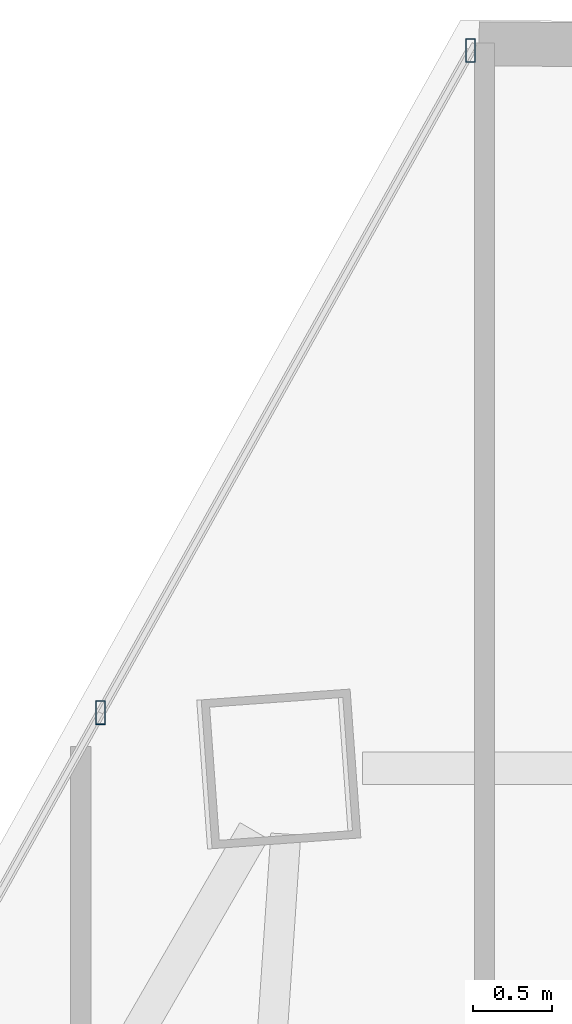
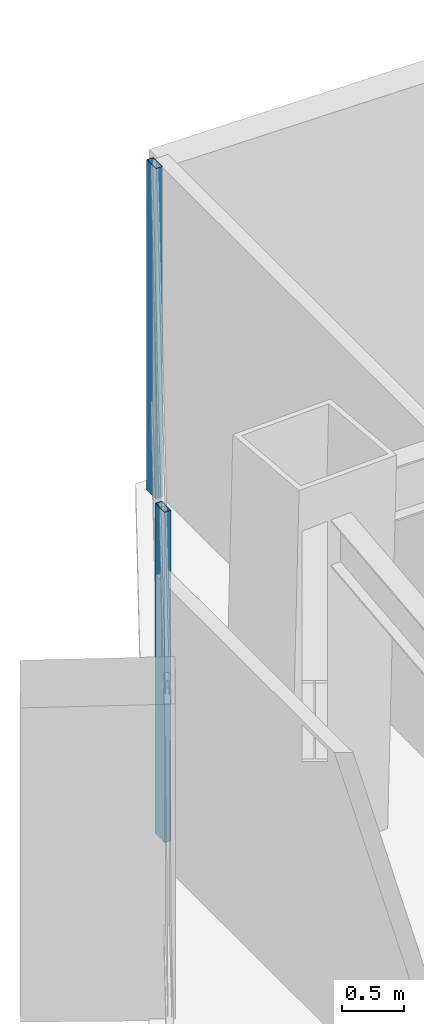
# One storey, part 28 of 40: 2 members, 1 element without a shape of its own.
"""IFC4 building model written with IfcOpenShell, lengths in metres."""

from ifc_helpers import new_model, si_unit, direction, frame, origin, origin_2d, place, context, subcontext, project, spatial, hollow_rectangle, extrude, source, transform, mapped, material, material_profile, profile_set, type_object, type_shapes, element, aggregate, save


model = new_model("IFC4")

# Units and contexts
model_context = context("Model", 3, precision=1e-05, world=origin(), true_north=direction((0.0, 1.0)))
body_context = subcontext(model_context, "Body", "Model", "MODEL_VIEW")
ifc_project = project(units=[si_unit("LENGTHUNIT", "METRE"), si_unit("AREAUNIT", "SQUARE_METRE"), si_unit("VOLUMEUNIT", "CUBIC_METRE"), si_unit("PLANEANGLEUNIT", "RADIAN"), si_unit("MASSUNIT", "GRAM", prefix="KILO")], contexts=[model_context])

# Site, building, storey
site_placement = place(None, origin())
site = spatial("IfcSite", under=ifc_project, at=site_placement, CompositionType="ELEMENT")
building_placement = place(site_placement, origin())
building = spatial("IfcBuilding", under=site, at=building_placement, Name="Caelisora Broadcast Tower", CompositionType="ELEMENT")
storey_placement = place(building_placement, frame((0.0, 0.0, 146.39990234375)))
storey = spatial("IfcBuildingStorey", under=building, at=storey_placement, Name="L38", CompositionType="ELEMENT", Elevation=146.39990234375)

# Curtain wall, members
ifc_material_1 = material(Name="Unitised Aluminium and Low-E Glass Curtain Wall", Category="glass")
curtain_wall_type = type_object("IfcCurtainWallType", Name="CW-Z3", PredefinedType="NOTDEFINED", material=ifc_material_1)
curtain_wall_placement = place(storey_placement, origin())
curtain_wall = element("IfcCurtainWall", 1, at=curtain_wall_placement, inside=storey, type_object=curtain_wall_type, Name="L38 curtain wall CW-Z3", PredefinedType="NOTDEFINED")
ifc_material_2 = material(Name="Aluminium 6063-T6 Anodised Terracotta Bronze", Category="aluminium")
ifc_material_profile = material_profile(ifc_material_2, hollow_rectangle(XDim=0.06005859375, YDim=0.14990234375, WallThickness=0.00341796875, at=origin_2d()), Name="Aluminium 6063-T6 Anodised Terracotta Bronze")
ifc_profile_set = profile_set([ifc_material_profile], Name="Aluminium 6063-T6 Anodised Terracotta Bronze")
member_type = type_object("IfcMemberType", Name="CWM-03", PredefinedType="MULLION", material=ifc_profile_set)
shared_shape = source(origin(), body_context, "Body", "SweptSolid", [
    extrude(hollow_rectangle(XDim=0.06005859375, YDim=0.14990234375, WallThickness=0.00341796875, at=origin_2d()), origin(), (0.0, 0.0, 1.0), 3.25),
])
type_shapes(member_type, [shared_shape])
member_1_placement = place(storey_placement, frame((30.40625, 46.8408203125, 0.0), z_axis=(0.0, 0.0, 1.0), x_axis=(1.0, 0.0, 0.0)))
member_1 = element("IfcMember", 2, at=member_1_placement, type_object=member_type, Name="L38-CW-B11 mullion #2", PredefinedType="MULLION", context=body_context, shape_type="MappedRepresentation", body=[
    mapped(shared_shape, transform((0.0, 0.0, 0.0), scale=1.0)),
])
member_2_placement = place(storey_placement, frame((32.76171875, 51.056396484375, 0.0), z_axis=(0.0, 0.0, 1.0), x_axis=(1.0, 0.0, 0.0)))
member_2 = element("IfcMember", 3, at=member_2_placement, type_object=member_type, Name="L38-CW-B11 mullion #3", PredefinedType="MULLION", context=body_context, shape_type="MappedRepresentation", body=[
    mapped(shared_shape, transform((0.0, 0.0, 0.0), scale=1.0)),
])
aggregate(curtain_wall, [member_1, member_2])

save(model, "model.ifc")
